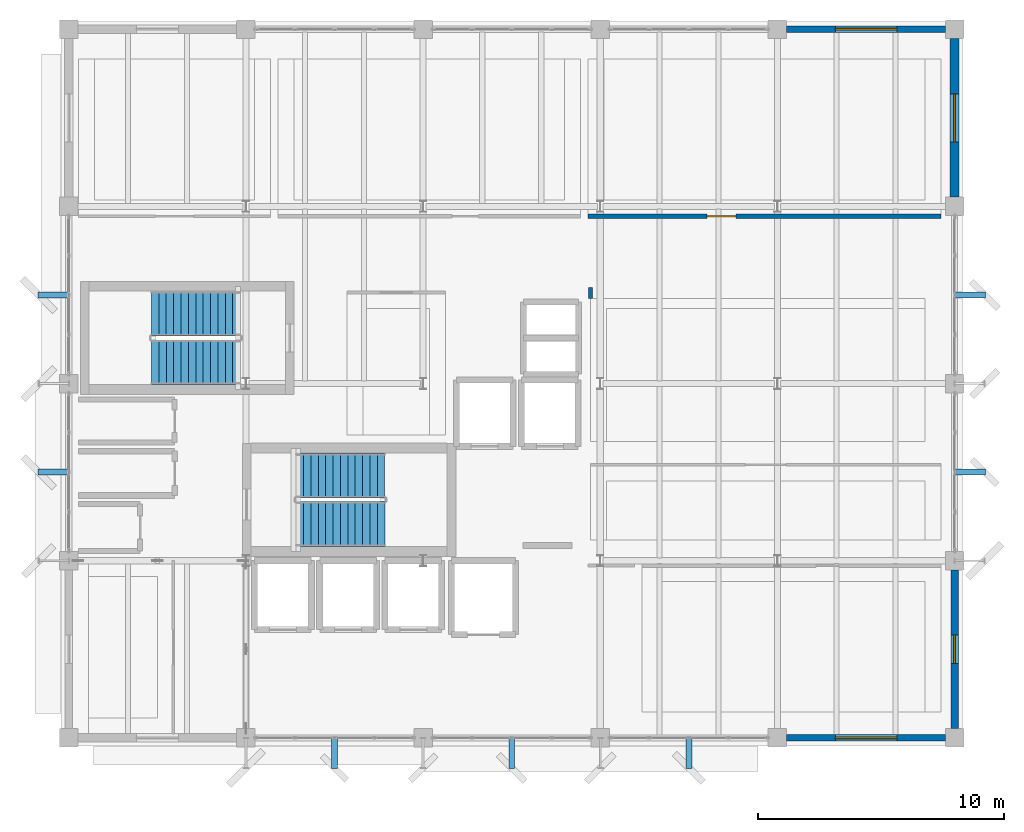
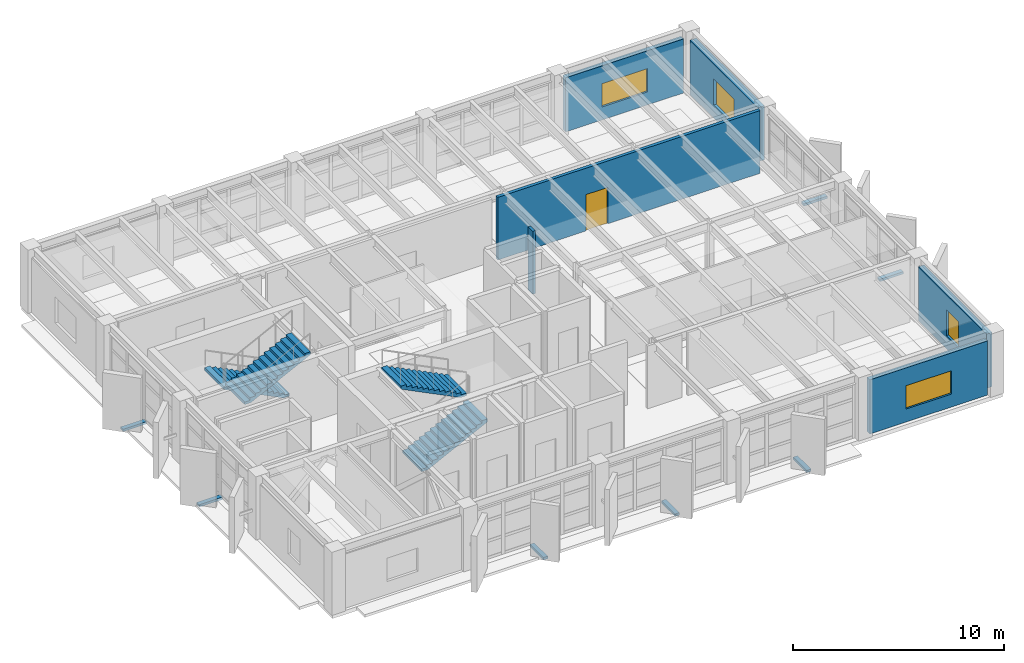
# One storey, part 18 of 24: 7 discrete accessories, 6 walls, 4 stair flights, 4 windows, 1 door, 5 openings, 2 elements without a shape of their own.
"""IFC4 building model written with IfcOpenShell, lengths in metres."""

from ifc_helpers import new_model, si_unit, direction, frame, frame_2d, origin, origin_2d, place, context, subcontext, project, spatial, polyline, rectangle, outline, extrude, material, layer, layer_set, type_object, element, fill, aggregate, save


model = new_model("IFC4")

# Units and contexts
model_context = context("Model", 3, precision=1e-05, world=origin(), true_north=direction((0.0, 1.0)))
body_context = subcontext(model_context, "Body", "Model", "MODEL_VIEW")
ifc_project = project(units=[si_unit("LENGTHUNIT", "METRE"), si_unit("AREAUNIT", "SQUARE_METRE"), si_unit("VOLUMEUNIT", "CUBIC_METRE"), si_unit("PLANEANGLEUNIT", "RADIAN"), si_unit("MASSUNIT", "GRAM", prefix="KILO")], contexts=[model_context])

# Site, building, storey
site_placement = place(None, origin())
site = spatial("IfcSite", under=ifc_project, at=site_placement, CompositionType="ELEMENT")
building_placement = place(site_placement, origin())
building = spatial("IfcBuilding", under=site, at=building_placement, Name="Kandorven Conservatory and Botanical Research Centre", CompositionType="ELEMENT")
storey_placement = place(building_placement, frame((0.0, 0.0, 24.89990234375)))
storey = spatial("IfcBuildingStorey", under=building, at=storey_placement, Name="L06", CompositionType="ELEMENT", Elevation=24.89990234375)

# Wall, opening, window
ifc_material_1 = material(Name="Concrete C40/50 (M50)", Category="concrete")
ifc_layer_1 = layer(ifc_material_1, 0.360107421875)
ifc_layer_set_1 = layer_set([ifc_layer_1], Name="Concrete C40/50 (M50)")
wall_type_1 = type_object("IfcWallType", Name="Wall_EW-01", PredefinedType="STANDARD", material=ifc_layer_set_1)
wall_1_placement = place(storey_placement, frame((42.0, 27.97509765625, 0.0), z_axis=(0.0, 0.0, 1.0), x_axis=(0.0, 1.0, 0.0)))
wall_1 = element("IfcWall", 1, at=wall_1_placement, inside=storey, type_object=wall_type_1, Name="Tower concrete facade wall EW-01 E L06", PredefinedType="STANDARD", context=body_context, shape_type="SweptSolid", body=[
    extrude(rectangle(XDim=6.449951171875, YDim=0.360107421875, at=frame_2d((3.22509765625, 0.0))), origin(), (0.0, 0.0, 1.0), 3.130126953125),
])
opening_1_placement = place(wall_1_placement, frame((2.25, 0.0, 0.75)))
opening_1 = element("IfcOpeningElement", 2, at=opening_1_placement, cuts=wall_1, Name="Opening W-42", PredefinedType="OPENING", context=body_context, shape_type="SweptSolid", body=[
    extrude(rectangle(XDim=1.949951171875, YDim=1.5, at=frame_2d((0.97509765625, 0.75))), frame((0.0, 0.18994140625, 0.0), z_axis=(0.0, -1.0, 0.0), x_axis=(1.0, 0.0, 0.0)), (0.0, 0.0, 1.0), 0.380126953125),
])
ifc_material_2 = material(Name="Double-glazed solar-control low-E glass", Category="glass")
window_type_1 = type_object("IfcWindowType", Name="Win_W-42", PartitioningType="DOUBLE_PANEL_VERTICAL", PredefinedType="WINDOW", material=ifc_material_2)
window_1_placement = place(opening_1_placement, origin())
window_1 = element("IfcWindow", 3, at=window_1_placement, inside=storey, type_object=window_type_1, Name="Tower recessed solar window W-42", OverallHeight=1.5, OverallWidth=1.949951171875, PartitioningType="SINGLE_PANEL", PredefinedType="WINDOW", context=body_context, shape_type="SweptSolid", body=[
    extrude(rectangle(XDim=1.949951171875, YDim=1.5, at=frame_2d((0.97509765625, 0.75))), frame((0.0, 0.030029296875, 0.0), z_axis=(0.0, -1.0, 0.0), x_axis=(1.0, 0.0, 0.0)), (0.0, 0.0, 1.0), 0.06005859375),
])
fill(opening_1, window_1)

ifc_material_3 = material(Name="Concrete C32/40 (M40)", Category="concrete")
ifc_layer_2 = layer(ifc_material_3, 0.300048828125)
ifc_layer_set_2 = layer_set([ifc_layer_2], Name="Concrete C32/40 (M40)")
wall_type_2 = type_object("IfcWallType", Name="Wall_EW-04", PredefinedType="STANDARD", material=ifc_layer_set_2)
wall_2_placement = place(storey_placement, frame((42.0, 6.375, 0.0), z_axis=(0.0, 0.0, 1.0), x_axis=(0.0, 1.0, 0.0)))
wall_2 = element("IfcWall", 4, at=wall_2_placement, inside=storey, type_object=wall_type_2, Name="Tower concrete facade wall EW-04 E L06", PredefinedType="STANDARD", context=body_context, shape_type="SweptSolid", body=[
    extrude(rectangle(XDim=6.449951171875, YDim=0.300048828125, at=frame_2d((3.22509765625, 0.0))), origin(), (0.0, 0.0, 1.0), 3.130126953125),
])
opening_2_placement = place(wall_2_placement, frame((2.64990234375, 0.0, 0.75)))
opening_2 = element("IfcOpeningElement", 5, at=opening_2_placement, cuts=wall_2, Name="Opening W-39", PredefinedType="OPENING", context=body_context, shape_type="SweptSolid", body=[
    extrude(rectangle(XDim=1.14990234375, YDim=1.5, at=frame_2d((0.574951171875, 0.75))), frame((0.0, 0.159912109375, 0.0), z_axis=(0.0, -1.0, 0.0), x_axis=(1.0, 0.0, 0.0)), (0.0, 0.0, 1.0), 0.320068359375),
])
ifc_material_4 = material(Name="Double-glazed solar-control low-E glass", Category="glass")
window_type_2 = type_object("IfcWindowType", Name="Win_W-39", PartitioningType="DOUBLE_PANEL_VERTICAL", PredefinedType="WINDOW", material=ifc_material_4)
window_2_placement = place(opening_2_placement, origin())
window_2 = element("IfcWindow", 6, at=window_2_placement, inside=storey, type_object=window_type_2, Name="Tower recessed solar window W-39", OverallHeight=1.5, OverallWidth=1.14990234375, PartitioningType="SINGLE_PANEL", PredefinedType="WINDOW", context=body_context, shape_type="SweptSolid", body=[
    extrude(rectangle(XDim=1.14990234375, YDim=1.5, at=frame_2d((0.574951171875, 0.75))), frame((0.0, 0.030029296875, 0.0), z_axis=(0.0, -1.0, 0.0), x_axis=(1.0, 0.0, 0.0)), (0.0, 0.0, 1.0), 0.06005859375),
])
fill(opening_2, window_2)

ifc_material_5 = material(Name="Concrete C32/40 (M40)", Category="concrete")
ifc_layer_3 = layer(ifc_material_5, 0.260009765625)
ifc_layer_set_3 = layer_set([ifc_layer_3], Name="Concrete C32/40 (M40)")
wall_type_3 = type_object("IfcWallType", Name="Wall_EW-06", PredefinedType="STANDARD", material=ifc_layer_set_3)
wall_3_placement = place(storey_placement, frame((35.175048828125, 6.0, 0.0), z_axis=(0.0, 0.0, 1.0), x_axis=(1.0, 0.0, 0.0)))
wall_3 = element("IfcWall", 7, at=wall_3_placement, inside=storey, type_object=wall_type_3, Name="Tower concrete facade wall EW-06 S L06", PredefinedType="STANDARD", context=body_context, shape_type="SweptSolid", body=[
    extrude(rectangle(XDim=6.449951171875, YDim=0.260009765625, at=frame_2d((3.22509765625, 0.0))), origin(), (0.0, 0.0, 1.0), 3.130126953125),
])
opening_3_placement = place(wall_3_placement, frame((1.97509765625, 0.0, 0.75)))
opening_3 = element("IfcOpeningElement", 8, at=opening_3_placement, cuts=wall_3, Name="Opening W-38", PredefinedType="OPENING", context=body_context, shape_type="SweptSolid", body=[
    extrude(rectangle(XDim=2.5, YDim=1.35009765625, at=frame_2d((1.25, 0.675048828125))), frame((0.0, 0.139892578125, 0.0), z_axis=(0.0, -1.0, 0.0), x_axis=(1.0, 0.0, 0.0)), (0.0, 0.0, 1.0), 0.280029296875),
])
ifc_material_6 = material(Name="Double-glazed solar-control low-E glass", Category="glass")
window_type_3 = type_object("IfcWindowType", Name="Win_W-38", PartitioningType="DOUBLE_PANEL_VERTICAL", PredefinedType="WINDOW", material=ifc_material_6)
window_3_placement = place(opening_3_placement, origin())
window_3 = element("IfcWindow", 9, at=window_3_placement, inside=storey, type_object=window_type_3, Name="Tower recessed solar window W-38", OverallHeight=1.35009765625, OverallWidth=2.5, PartitioningType="SINGLE_PANEL", PredefinedType="WINDOW", context=body_context, shape_type="SweptSolid", body=[
    extrude(rectangle(XDim=2.5, YDim=1.35009765625, at=frame_2d((1.25, 0.675048828125))), frame((0.0, 0.030029296875, 0.0), z_axis=(0.0, -1.0, 0.0), x_axis=(1.0, 0.0, 0.0)), (0.0, 0.0, 1.0), 0.06005859375),
])
fill(opening_3, window_3)

wall_4_placement = place(storey_placement, frame((35.175048828125, 34.800048828125, 0.0), z_axis=(0.0, 0.0, 1.0), x_axis=(1.0, 0.0, 0.0)))
wall_4 = element("IfcWall", 10, at=wall_4_placement, inside=storey, type_object=wall_type_3, Name="Tower concrete facade wall EW-06 N L06", PredefinedType="STANDARD", context=body_context, shape_type="SweptSolid", body=[
    extrude(rectangle(XDim=6.449951171875, YDim=0.260009765625, at=frame_2d((3.22509765625, 0.0))), origin(), (0.0, 0.0, 1.0), 3.130126953125),
])
opening_4_placement = place(wall_4_placement, frame((1.97509765625, 0.0, 0.75)))
opening_4 = element("IfcOpeningElement", 11, at=opening_4_placement, cuts=wall_4, Name="Opening W-38", PredefinedType="OPENING", context=body_context, shape_type="SweptSolid", body=[
    extrude(rectangle(XDim=2.5, YDim=1.35009765625, at=frame_2d((1.25, 0.675048828125))), frame((0.0, 0.139892578125, 0.0), z_axis=(0.0, -1.0, 0.0), x_axis=(1.0, 0.0, 0.0)), (0.0, 0.0, 1.0), 0.280029296875),
])
window_4_placement = place(opening_4_placement, origin())
window_4 = element("IfcWindow", 12, at=window_4_placement, inside=storey, type_object=window_type_3, Name="Tower recessed solar window W-38", OverallHeight=1.35009765625, OverallWidth=2.5, PartitioningType="SINGLE_PANEL", PredefinedType="WINDOW", context=body_context, shape_type="SweptSolid", body=[
    extrude(rectangle(XDim=2.5, YDim=1.35009765625, at=frame_2d((1.25, 0.675048828125))), frame((0.0, 0.030029296875, 0.0), z_axis=(0.0, -1.0, 0.0), x_axis=(1.0, 0.0, 0.0)), (0.0, 0.0, 1.0), 0.06005859375),
])
fill(opening_4, window_4)

# Wall
ifc_material_7 = material(Name="Fire-rated acoustic gypsum board partition", Category="gypsum")
ifc_layer_4 = layer(ifc_material_7, 0.14599609375)
ifc_layer_set_4 = layer_set([ifc_layer_4], Name="Fire-rated acoustic gypsum board partition")
wall_type_4 = type_object("IfcWallType", Name="Wall_IW-15", PredefinedType="PARTITIONING", material=ifc_layer_set_4)
wall_5_placement = place(storey_placement, frame((27.199951171875, 24.300048828125, 0.0), z_axis=(0.0, 0.0, 1.0), x_axis=(0.0, -1.0, 0.0)))
element("IfcWall", 13, at=wall_5_placement, inside=storey, type_object=wall_type_4, Name="Interior partition wall IW-15 (Botanical Curation Studio L06)", PredefinedType="PARTITIONING", context=body_context, shape_type="SweptSolid", body=[
    extrude(rectangle(XDim=0.449951171875, YDim=0.14599609375, at=frame_2d((0.22509765625, 0.0))), origin(), (0.0, 0.0, 1.0), 3.630126953125),
])

# Wall, opening, door
ifc_material_8 = material(Name="Autoclaved aerated concrete blockwork masonry", Category="masonry")
ifc_layer_5 = layer(ifc_material_8, 0.172119140625)
ifc_layer_set_5 = layer_set([ifc_layer_5], Name="Autoclaved aerated concrete blockwork masonry")
wall_type_5 = type_object("IfcWallType", Name="Wall_IW-17", PredefinedType="PARTITIONING", material=ifc_layer_set_5)
wall_6_placement = place(storey_placement, frame((27.10009765625, 27.199951171875, 0.0), z_axis=(0.0, 0.0, 1.0), x_axis=(1.0, 0.0, 0.0)))
wall_6 = element("IfcWall", 14, at=wall_6_placement, inside=storey, type_object=wall_type_5, Name="Interior partition wall IW-17 (Departmental Research Seminar Room L06)", PredefinedType="PARTITIONING", context=body_context, shape_type="SweptSolid", body=[
    extrude(rectangle(XDim=14.349853515625, YDim=0.172119140625, at=frame_2d((7.1748046875, 0.0))), origin(), (0.0, 0.0, 1.0), 3.630126953125),
])
opening_5_placement = place(wall_6_placement, frame((4.83447265625, 0.0, 0.0)))
opening_5 = element("IfcOpeningElement", 15, at=opening_5_placement, cuts=wall_6, Name="Opening D-14", PredefinedType="OPENING", context=body_context, shape_type="SweptSolid", body=[
    extrude(rectangle(XDim=1.179931640625, YDim=2.10009765625, at=frame_2d((0.58984375, 1.050048828125))), frame((0.0, 0.095947265625, 0.0), z_axis=(0.0, -1.0, 0.0), x_axis=(1.0, 0.0, 0.0)), (0.0, 0.0, 1.0), 0.192138671875),
])
ifc_material_9 = material(Name="Solid core acoustic teak-veneered timber leaf", Category="wood")
door_type = type_object("IfcDoorType", Name="Door_D-14", OperationType="NOTDEFINED", PredefinedType="DOOR", material=ifc_material_9)
door_placement = place(opening_5_placement, origin())
door = element("IfcDoor", 16, at=door_placement, inside=storey, type_object=door_type, Name="Interior door D-14 to Departmental Research Seminar Room L06", OperationType="SINGLE_SWING_RIGHT", OverallHeight=2.10009765625, OverallWidth=1.179931640625, PredefinedType="DOOR", context=body_context, shape_type="SweptSolid", body=[
    extrude(rectangle(XDim=1.179931640625, YDim=2.10009765625, at=frame_2d((0.58984375, 1.050048828125))), frame((0.0, 0.02490234375, 0.0), z_axis=(0.0, -1.0, 0.0), x_axis=(1.0, 0.0, 0.0)), (0.0, 0.0, 1.0), 0.050048828125),
])
fill(opening_5, door)

# Stair, stair flights
ifc_material_10 = material(Name="Concrete C32/40 (M40)", Category="concrete")
stair_type = type_object("IfcStairType", Name="Stair_1820", PredefinedType="HALF_TURN_STAIR", material=ifc_material_10)
stair_1_placement = place(storey_placement, origin())
stair_1 = element("IfcStair", 17, at=stair_1_placement, inside=storey, type_object=stair_type, Name="L06 Tower Fire Stair ST-T1", PredefinedType="HALF_TURN_STAIR")
ifc_material_11 = material(Name="Concrete C32/40 (M40)", Category="concrete")
ifc_layer_6 = layer(ifc_material_11, 0.14990234375)
ifc_layer_set_6 = layer_set([ifc_layer_6], Name="Concrete C32/40 (M40)")
stair_flight_type = type_object("IfcStairFlightType", Name="Flight_1820", PredefinedType="STRAIGHT", material=ifc_layer_set_6)
stair_flight_1_placement = place(storey_placement, frame((15.239990234375, 14.68994140625, 0.0), z_axis=(0.0, 0.0, 1.0), x_axis=(1.0, 0.0, 0.0)))
stair_flight_1 = element("IfcStairFlight", 18, at=stair_flight_1_placement, type_object=stair_flight_type, Name="ST-T1 flight 1", NumberOfRisers=13, NumberOfTreads=12, PredefinedType="STRAIGHT", RiserHeight=0.15, TreadLength=0.3, context=body_context, shape_type="SweptSolid", body=[
    extrude(outline(polyline([(0.0, 0.0), (0.0, 0.14990234375), (0.300048828125, 0.14990234375), (0.300048828125, 0.300048828125), (0.60009765625, 0.300048828125), (0.60009765625, 0.449951171875), (0.89990234375, 0.449951171875), (0.89990234375, 0.60009765625), (1.199951171875, 0.60009765625), (1.199951171875, 0.75), (1.5, 0.75), (1.5, 0.89990234375), (1.800048828125, 0.89990234375), (1.800048828125, 1.050048828125), (2.10009765625, 1.050048828125), (2.10009765625, 1.199951171875), (2.39990234375, 1.199951171875), (2.39990234375, 1.35009765625), (2.699951171875, 1.35009765625), (2.699951171875, 1.5), (3.0, 1.5), (3.0, 1.64990234375), (3.300048828125, 1.64990234375), (3.300048828125, 1.800048828125), (3.60009765625, 1.800048828125), (3.60009765625, 1.949951171875), (3.60009765625, 1.63232421875), (0.335205078125, 0.0), (0.0, 0.0)])), frame((0.0, 0.91015625, 0.0), z_axis=(0.0, -1.0, 0.0), x_axis=(1.0, 0.0, 0.0)), (0.0, 0.0, 1.0), 1.820068359375),
])
stair_flight_2_placement = place(storey_placement, frame((18.839599609375, 16.659912109375, 1.9501953125), z_axis=(0.0, 0.0, 1.0), x_axis=(-1.0, 0.0, 0.0)))
stair_flight_2 = element("IfcStairFlight", 19, at=stair_flight_2_placement, type_object=stair_flight_type, Name="ST-T1 flight 2", NumberOfRisers=13, NumberOfTreads=12, PredefinedType="STRAIGHT", RiserHeight=0.15, TreadLength=0.3, context=body_context, shape_type="SweptSolid", body=[
    extrude(outline(polyline([(0.0, 0.0), (0.0, 0.14990234375), (0.300048828125, 0.14990234375), (0.300048828125, 0.300048828125), (0.60009765625, 0.300048828125), (0.60009765625, 0.449951171875), (0.89990234375, 0.449951171875), (0.89990234375, 0.60009765625), (1.199951171875, 0.60009765625), (1.199951171875, 0.75), (1.5, 0.75), (1.5, 0.89990234375), (1.800048828125, 0.89990234375), (1.800048828125, 1.050048828125), (2.10009765625, 1.050048828125), (2.10009765625, 1.199951171875), (2.39990234375, 1.199951171875), (2.39990234375, 1.35009765625), (2.699951171875, 1.35009765625), (2.699951171875, 1.5), (3.0, 1.5), (3.0, 1.64990234375), (3.300048828125, 1.64990234375), (3.300048828125, 1.800048828125), (3.60009765625, 1.800048828125), (3.60009765625, 1.949951171875), (3.60009765625, 1.63232421875), (0.335205078125, 0.0), (0.0, 0.0)])), frame((0.0, 0.91015625, 0.0), z_axis=(0.0, -1.0, 0.0), x_axis=(1.0, 0.0, 0.0)), (0.0, 0.0, 1.0), 1.820068359375),
])
aggregate(stair_1, [stair_flight_1, stair_flight_2])

stair_2_placement = place(storey_placement, origin())
stair_2 = element("IfcStair", 20, at=stair_2_placement, inside=storey, type_object=stair_type, Name="L06 Tower Fire Stair ST-T2", PredefinedType="HALF_TURN_STAIR")
stair_flight_3_placement = place(storey_placement, frame((12.9599609375, 23.239990234375, 0.0), z_axis=(0.0, 0.0, 1.0), x_axis=(-1.0, 0.0, 0.0)))
stair_flight_3 = element("IfcStairFlight", 21, at=stair_flight_3_placement, type_object=stair_flight_type, Name="ST-T2 flight 1", NumberOfRisers=13, NumberOfTreads=12, PredefinedType="STRAIGHT", RiserHeight=0.15, TreadLength=0.3, context=body_context, shape_type="SweptSolid", body=[
    extrude(outline(polyline([(0.0, 0.0), (0.0, 0.14990234375), (0.300048828125, 0.14990234375), (0.300048828125, 0.300048828125), (0.60009765625, 0.300048828125), (0.60009765625, 0.449951171875), (0.89990234375, 0.449951171875), (0.89990234375, 0.60009765625), (1.199951171875, 0.60009765625), (1.199951171875, 0.75), (1.5, 0.75), (1.5, 0.89990234375), (1.800048828125, 0.89990234375), (1.800048828125, 1.050048828125), (2.10009765625, 1.050048828125), (2.10009765625, 1.199951171875), (2.39990234375, 1.199951171875), (2.39990234375, 1.35009765625), (2.699951171875, 1.35009765625), (2.699951171875, 1.5), (3.0, 1.5), (3.0, 1.64990234375), (3.300048828125, 1.64990234375), (3.300048828125, 1.800048828125), (3.60009765625, 1.800048828125), (3.60009765625, 1.949951171875), (3.60009765625, 1.63232421875), (0.335205078125, 0.0), (0.0, 0.0)])), frame((0.0, 0.91015625, 0.0), z_axis=(0.0, -1.0, 0.0), x_axis=(1.0, 0.0, 0.0)), (0.0, 0.0, 1.0), 1.820068359375),
])
stair_flight_4_placement = place(storey_placement, frame((9.360595703125, 21.27001953125, 1.9501953125), z_axis=(0.0, 0.0, 1.0), x_axis=(1.0, 0.0, 0.0)))
stair_flight_4 = element("IfcStairFlight", 22, at=stair_flight_4_placement, type_object=stair_flight_type, Name="ST-T2 flight 2", NumberOfRisers=13, NumberOfTreads=12, PredefinedType="STRAIGHT", RiserHeight=0.15, TreadLength=0.3, context=body_context, shape_type="SweptSolid", body=[
    extrude(outline(polyline([(0.0, 0.0), (0.0, 0.14990234375), (0.300048828125, 0.14990234375), (0.300048828125, 0.300048828125), (0.60009765625, 0.300048828125), (0.60009765625, 0.449951171875), (0.89990234375, 0.449951171875), (0.89990234375, 0.60009765625), (1.199951171875, 0.60009765625), (1.199951171875, 0.75), (1.5, 0.75), (1.5, 0.89990234375), (1.800048828125, 0.89990234375), (1.800048828125, 1.050048828125), (2.10009765625, 1.050048828125), (2.10009765625, 1.199951171875), (2.39990234375, 1.199951171875), (2.39990234375, 1.35009765625), (2.699951171875, 1.35009765625), (2.699951171875, 1.5), (3.0, 1.5), (3.0, 1.64990234375), (3.300048828125, 1.64990234375), (3.300048828125, 1.800048828125), (3.60009765625, 1.800048828125), (3.60009765625, 1.949951171875), (3.60009765625, 1.63232421875), (0.335205078125, 0.0), (0.0, 0.0)])), frame((0.0, 0.91015625, 0.0), z_axis=(0.0, -1.0, 0.0), x_axis=(1.0, 0.0, 0.0)), (0.0, 0.0, 1.0), 1.820068359375),
])
aggregate(stair_2, [stair_flight_3, stair_flight_4])

# Discrete accessories
ifc_material_12 = material(Name="Steel S355 (IS 2062 E350)", Category="steel")
discrete_accessory_type = type_object("IfcDiscreteAccessoryType", Name="JaliBracket", PredefinedType="BRACKET", material=ifc_material_12)
for number, where, z_axis, x_axis, name in (
    (23, (16.800048828125, 5.389892578125, -0.1298828125), (0.0, 0.0, 1.0), (1.0, 0.0, 0.0), "Stainless steel fin support bracket BRK-01 #60"),
    (24, (24.0, 5.389892578125, -0.1298828125), (0.0, 0.0, 1.0), (1.0, 0.0, 0.0), "Stainless steel fin support bracket BRK-01 #62"),
    (25, (31.199951171875, 5.389892578125, -0.1298828125), (0.0, 0.0, 1.0), (1.0, 0.0, 0.0), "Stainless steel fin support bracket BRK-01 #64"),
):
    element("IfcDiscreteAccessory", number, at=place(storey_placement, frame(where, z_axis=z_axis, x_axis=x_axis)), inside=storey, type_object=discrete_accessory_type, Name=name, PredefinedType="BRACKET", context=body_context, shape_type="SweptSolid", body=[
        extrude(rectangle(XDim=0.239990234375, YDim=1.280029296875, at=origin_2d()), origin(), (0.0, 0.0, 1.0), 0.139892578125),
    ])
for number, where, z_axis, x_axis, name in (
    (26, (5.389892578125, 16.800048828125, -0.1298828125), (0.0, 0.0, 1.0), (1.0, 0.0, 0.0), "Stainless steel fin support bracket BRK-01 #66"),
    (27, (5.389892578125, 24.0, -0.1298828125), (0.0, 0.0, 1.0), (1.0, 0.0, 0.0), "Stainless steel fin support bracket BRK-01 #68"),
    (28, (42.610107421875, 16.800048828125, -0.1298828125), (0.0, 0.0, 1.0), (1.0, 0.0, 0.0), "Stainless steel fin support bracket BRK-01 #70"),
    (29, (42.610107421875, 24.0, -0.1298828125), (0.0, 0.0, 1.0), (1.0, 0.0, 0.0), "Stainless steel fin support bracket BRK-01 #72"),
):
    element("IfcDiscreteAccessory", number, at=place(storey_placement, frame(where, z_axis=z_axis, x_axis=x_axis)), inside=storey, type_object=discrete_accessory_type, Name=name, PredefinedType="BRACKET", context=body_context, shape_type="SweptSolid", body=[
        extrude(rectangle(XDim=1.280029296875, YDim=0.239990234375, at=origin_2d()), origin(), (0.0, 0.0, 1.0), 0.139892578125),
    ])

save(model, "model.ifc")
